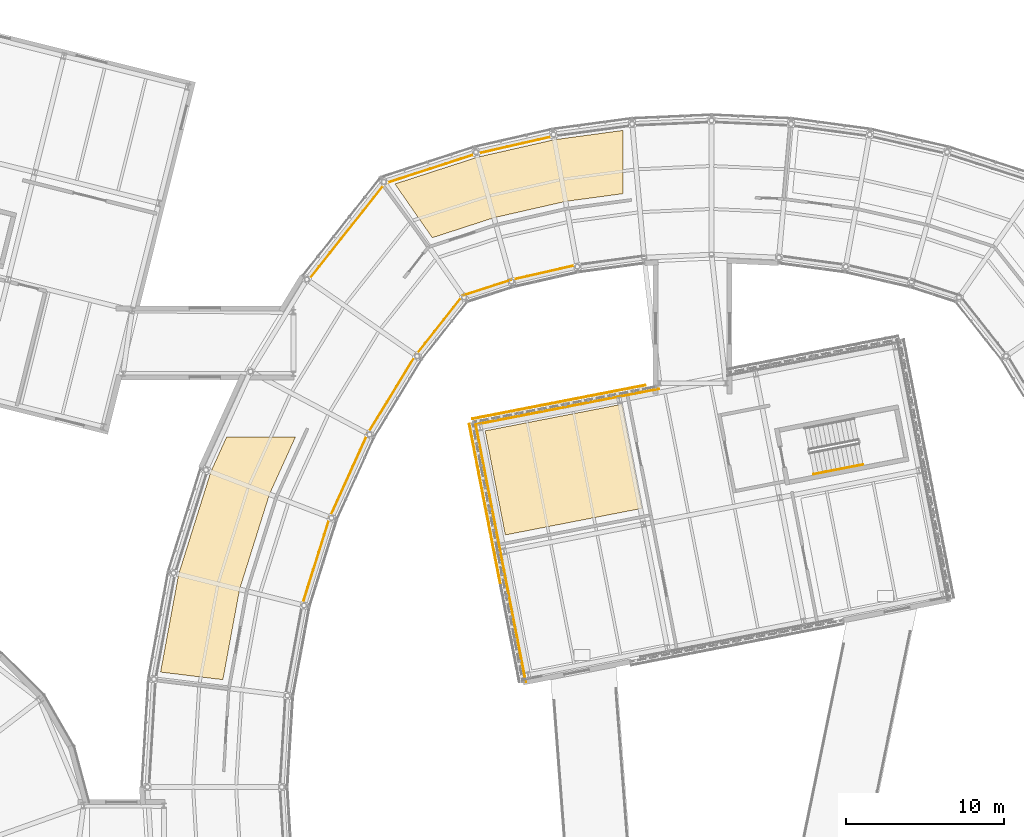
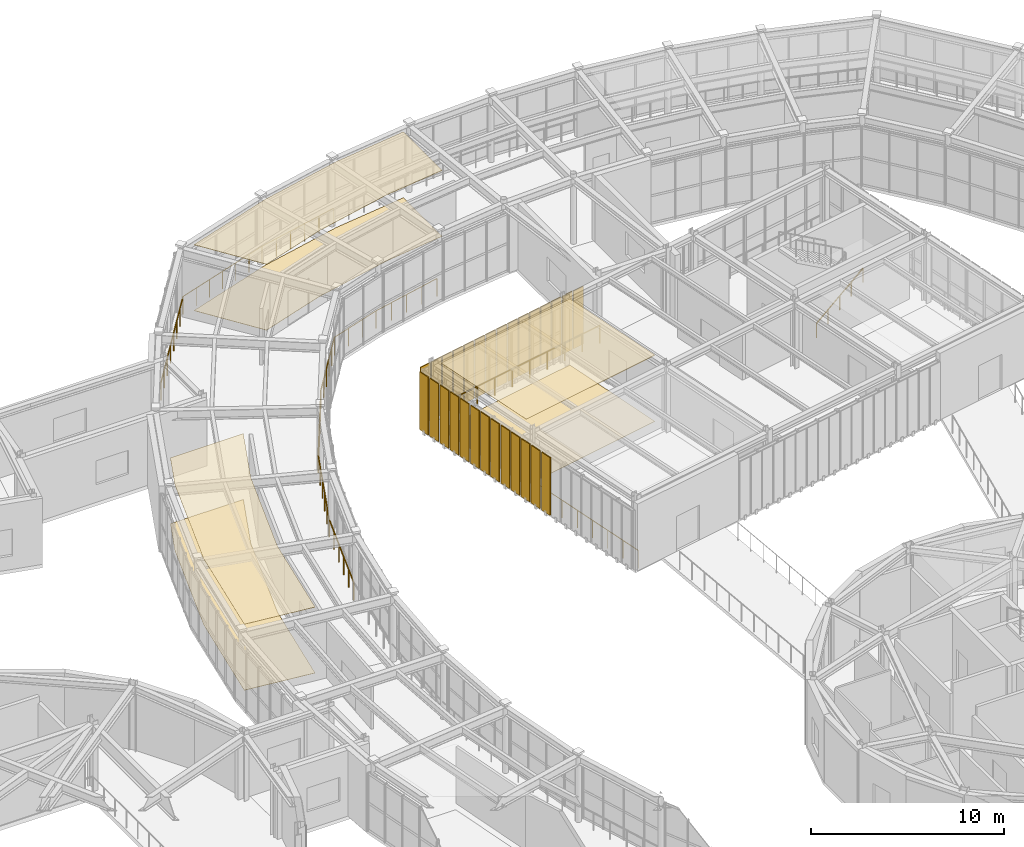
# One storey, part 98 of 103: 28 shading devices, 12 railings, 6 coverings.
"""IFC4 building model written with IfcOpenShell, lengths in metres."""

from ifc_helpers import new_model, si_unit, direction, frame, origin, origin_2d, place, context, subcontext, project, spatial, polyline, rectangle, circle, outline, extrude, material, layer, layer_set, type_object, element, save


model = new_model("IFC4")

# Units and contexts
model_context = context("Model", 3, precision=1e-05, world=origin(), true_north=direction((0.0, 1.0)))
body_context = subcontext(model_context, "Body", "Model", "MODEL_VIEW")
ifc_project = project(units=[si_unit("LENGTHUNIT", "METRE"), si_unit("AREAUNIT", "SQUARE_METRE"), si_unit("VOLUMEUNIT", "CUBIC_METRE"), si_unit("PLANEANGLEUNIT", "RADIAN"), si_unit("MASSUNIT", "GRAM", prefix="KILO")], contexts=[model_context])

# Site, building, storey
site_placement = place(None, origin())
site = spatial("IfcSite", under=ifc_project, at=site_placement, CompositionType="ELEMENT")
building_placement = place(site_placement, origin())
building = spatial("IfcBuilding", under=site, at=building_placement, Name="Varnklinge Art Gallery", CompositionType="ELEMENT")
storey_placement = place(building_placement, frame((0.0, 0.0, 5.10009765625)))
storey = spatial("IfcBuildingStorey", under=building, at=storey_placement, Name="L01", CompositionType="ELEMENT", Elevation=5.10009765625)

# Railings
ifc_material_1 = material(Name="Anodised Aluminium", Category="aluminium")
railing_type_1 = type_object("IfcRailingType", Name="BAL-01", PredefinedType="BALUSTRADE", material=ifc_material_1)
railing_1_placement = place(storey_placement, frame((65.49951171875, 96.246337890625, 0.0)))
element("IfcRailing", 1, at=railing_1_placement, inside=storey, type_object=railing_type_1, Name="L01 Ring Outer Glazing Guard 19", PredefinedType="BALUSTRADE", context=body_context, shape_type="SweptSolid", body=[
    extrude(circle(Radius=0.02392578125, at=origin_2d()), frame((0.0, 0.0, 1.11572265625), z_axis=(-0.975052616387, -0.221973861698, 0.0), x_axis=(0.221973861698, -0.975052616387, 0.0)), (0.0, 0.0, 1.0), 5.025390625),
    extrude(circle(Radius=0.02099609375, at=origin_2d()), origin(), (0.0, 0.0, 1.0), 1.091796875),
    extrude(circle(Radius=0.02099609375, at=origin_2d()), frame((-0.97998046875, -0.22314453125, 0.0)), (0.0, 0.0, 1.0), 1.091796875),
    extrude(circle(Radius=0.02099609375, at=origin_2d()), frame((-1.9599609375, -0.4462890625, 0.0)), (0.0, 0.0, 1.0), 1.091796875),
    extrude(circle(Radius=0.02099609375, at=origin_2d()), frame((-2.93994140625, -0.669189453125, 0.0)), (0.0, 0.0, 1.0), 1.091796875),
    extrude(circle(Radius=0.02099609375, at=origin_2d()), frame((-3.919921875, -0.892333984375, 0.0)), (0.0, 0.0, 1.0), 1.091796875),
    extrude(circle(Radius=0.02099609375, at=origin_2d()), frame((-4.89990234375, -1.115478515625, 0.0)), (0.0, 0.0, 1.0), 1.091796875),
])
railing_2_placement = place(storey_placement, frame((66.975830078125, 88.090576171875, 0.0)))
element("IfcRailing", 2, at=railing_2_placement, inside=storey, type_object=railing_type_1, Name="L01 Ring Inner Glazing Guard 19", PredefinedType="BALUSTRADE", context=body_context, shape_type="SweptSolid", body=[
    extrude(circle(Radius=0.02392578125, at=origin_2d()), frame((0.0, 0.0, 1.11572265625), z_axis=(-0.975058334302, -0.221948743425, 0.0), x_axis=(0.221948743425, -0.975058334302, 0.0)), (0.0, 0.0, 1.0), 4.283447265625),
    extrude(circle(Radius=0.02099609375, at=origin_2d()), origin(), (0.0, 0.0, 1.0), 1.091796875),
    extrude(circle(Radius=0.02099609375, at=origin_2d()), frame((-1.044189453125, -0.23779296875, 0.0)), (0.0, 0.0, 1.0), 1.091796875),
    extrude(circle(Radius=0.02099609375, at=origin_2d()), frame((-2.08837890625, -0.475341796875, 0.0)), (0.0, 0.0, 1.0), 1.091796875),
    extrude(circle(Radius=0.02099609375, at=origin_2d()), frame((-3.13232421875, -0.712890625, 0.0)), (0.0, 0.0, 1.0), 1.091796875),
    extrude(circle(Radius=0.02099609375, at=origin_2d()), frame((-4.176513671875, -0.95068359375, 0.0)), (0.0, 0.0, 1.0), 1.091796875),
])
railing_3_placement = place(storey_placement, frame((60.599609375, 95.130859375, 0.0)))
element("IfcRailing", 3, at=railing_3_placement, inside=storey, type_object=railing_type_1, Name="L01 Ring Outer Glazing Guard 20", PredefinedType="BALUSTRADE", context=body_context, shape_type="SweptSolid", body=[
    extrude(circle(Radius=0.02392578125, at=origin_2d()), frame((0.0, 0.0, 1.11572265625), z_axis=(-0.951286996802, -0.308306746141, 0.0), x_axis=(0.308306746141, -0.951286996802, 0.0)), (0.0, 0.0, 1.0), 6.0927734375),
    extrude(circle(Radius=0.02099609375, at=origin_2d()), origin(), (0.0, 0.0, 1.0), 1.091796875),
    extrude(circle(Radius=0.02099609375, at=origin_2d()), frame((-0.966064453125, -0.31298828125, 0.0)), (0.0, 0.0, 1.0), 1.091796875),
    extrude(circle(Radius=0.02099609375, at=origin_2d()), frame((-1.931884765625, -0.626220703125, 0.0)), (0.0, 0.0, 1.0), 1.091796875),
    extrude(circle(Radius=0.02099609375, at=origin_2d()), frame((-2.89794921875, -0.939208984375, 0.0)), (0.0, 0.0, 1.0), 1.091796875),
    extrude(circle(Radius=0.02099609375, at=origin_2d()), frame((-3.864013671875, -1.252197265625, 0.0)), (0.0, 0.0, 1.0), 1.091796875),
    extrude(circle(Radius=0.02099609375, at=origin_2d()), frame((-4.829833984375, -1.5654296875, 0.0)), (0.0, 0.0, 1.0), 1.091796875),
    extrude(circle(Radius=0.02099609375, at=origin_2d()), frame((-5.7958984375, -1.87841796875, 0.0)), (0.0, 0.0, 1.0), 1.091796875),
])
railing_4_placement = place(storey_placement, frame((62.79931640625, 87.139892578125, 0.0)))
element("IfcRailing", 4, at=railing_4_placement, inside=storey, type_object=railing_type_1, Name="L01 Ring Inner Glazing Guard 20", PredefinedType="BALUSTRADE", context=body_context, shape_type="SweptSolid", body=[
    extrude(circle(Radius=0.02392578125, at=origin_2d()), frame((0.0, 0.0, 1.11572265625), z_axis=(-0.951276988324, -0.308337625804, 0.0), x_axis=(0.308337625804, -0.951276988324, 0.0)), (0.0, 0.0, 1.0), 3.21630859375),
    extrude(circle(Radius=0.02099609375, at=origin_2d()), origin(), (0.0, 0.0, 1.0), 1.091796875),
    extrude(circle(Radius=0.02099609375, at=origin_2d()), frame((-1.019775390625, -0.33056640625, 0.0)), (0.0, 0.0, 1.0), 1.091796875),
    extrude(circle(Radius=0.02099609375, at=origin_2d()), frame((-2.039794921875, -0.6611328125, 0.0)), (0.0, 0.0, 1.0), 1.091796875),
    extrude(circle(Radius=0.02099609375, at=origin_2d()), frame((-3.0595703125, -0.99169921875, 0.0)), (0.0, 0.0, 1.0), 1.091796875),
])
railing_5_placement = place(storey_placement, frame((54.8037109375, 93.25244140625, 0.0)))
element("IfcRailing", 5, at=railing_5_placement, inside=storey, type_object=railing_type_1, Name="L01 Ring Outer Glazing Guard 21", PredefinedType="BALUSTRADE", context=body_context, shape_type="SweptSolid", body=[
    extrude(circle(Radius=0.02392578125, at=origin_2d()), frame((0.0, 0.0, 1.11572265625), z_axis=(-0.620768404491, -0.783993997417, 0.0), x_axis=(0.783993997417, -0.620768404491, 0.0)), (0.0, 0.0, 1.0), 7.8330078125),
    extrude(circle(Radius=0.02099609375, at=origin_2d()), origin(), (0.0, 0.0, 1.0), 1.091796875),
    extrude(circle(Radius=0.02099609375, at=origin_2d()), frame((-0.694580078125, -0.877197265625, 0.0)), (0.0, 0.0, 1.0), 1.091796875),
    extrude(circle(Radius=0.02099609375, at=origin_2d()), frame((-1.389404296875, -1.754638671875, 0.0)), (0.0, 0.0, 1.0), 1.091796875),
    extrude(circle(Radius=0.02099609375, at=origin_2d()), frame((-2.083984375, -2.6318359375, 0.0)), (0.0, 0.0, 1.0), 1.091796875),
    extrude(circle(Radius=0.02099609375, at=origin_2d()), frame((-2.778564453125, -3.50927734375, 0.0)), (0.0, 0.0, 1.0), 1.091796875),
    extrude(circle(Radius=0.02099609375, at=origin_2d()), frame((-3.47314453125, -4.386474609375, 0.0)), (0.0, 0.0, 1.0), 1.091796875),
    extrude(circle(Radius=0.02099609375, at=origin_2d()), frame((-4.16796875, -5.263916015625, 0.0)), (0.0, 0.0, 1.0), 1.091796875),
    extrude(circle(Radius=0.02099609375, at=origin_2d()), frame((-4.862548828125, -6.14111328125, 0.0)), (0.0, 0.0, 1.0), 1.091796875),
])
railing_6_placement = place(storey_placement, frame((59.73974609375, 86.148193359375, 0.0)))
element("IfcRailing", 6, at=railing_6_placement, inside=storey, type_object=railing_type_1, Name="L01 Ring Inner Glazing Guard 21", PredefinedType="BALUSTRADE", context=body_context, shape_type="SweptSolid", body=[
    extrude(circle(Radius=0.02392578125, at=origin_2d()), frame((0.0, 0.0, 1.11572265625), z_axis=(-0.620748326403, -0.784009894879, 0.0), x_axis=(0.784009894879, -0.620748326403, 0.0)), (0.0, 0.0, 1.0), 4.82275390625),
    extrude(circle(Radius=0.02099609375, at=origin_2d()), origin(), (0.0, 0.0, 1.0), 1.091796875),
    extrude(circle(Radius=0.02099609375, at=origin_2d()), frame((-0.5986328125, -0.756103515625, 0.0)), (0.0, 0.0, 1.0), 1.091796875),
    extrude(circle(Radius=0.02099609375, at=origin_2d()), frame((-1.197509765625, -1.512451171875, 0.0)), (0.0, 0.0, 1.0), 1.091796875),
    extrude(circle(Radius=0.02099609375, at=origin_2d()), frame((-1.796142578125, -2.2685546875, 0.0)), (0.0, 0.0, 1.0), 1.091796875),
    extrude(circle(Radius=0.02099609375, at=origin_2d()), frame((-2.39501953125, -3.02490234375, 0.0)), (0.0, 0.0, 1.0), 1.091796875),
    extrude(circle(Radius=0.02099609375, at=origin_2d()), frame((-2.99365234375, -3.781005859375, 0.0)), (0.0, 0.0, 1.0), 1.091796875),
])
railing_7_placement = place(storey_placement, frame((56.74609375, 82.3671875, 0.0)))
element("IfcRailing", 7, at=railing_7_placement, inside=storey, type_object=railing_type_1, Name="L01 Ring Inner Glazing Guard 22", PredefinedType="BALUSTRADE", context=body_context, shape_type="SweptSolid", body=[
    extrude(circle(Radius=0.02392578125, at=origin_2d()), frame((0.0, 0.0, 1.11572265625), z_axis=(-0.520954740627, -0.853584300593, 0.0), x_axis=(0.853584300593, -0.520954740627, 0.0)), (0.0, 0.0, 1.0), 5.8232421875),
    extrude(circle(Radius=0.02099609375, at=origin_2d()), origin(), (0.0, 0.0, 1.0), 1.091796875),
    extrude(circle(Radius=0.02099609375, at=origin_2d()), frame((-0.606689453125, -0.994140625, 0.0)), (0.0, 0.0, 1.0), 1.091796875),
    extrude(circle(Radius=0.02099609375, at=origin_2d()), frame((-1.21337890625, -1.98828125, 0.0)), (0.0, 0.0, 1.0), 1.091796875),
    extrude(circle(Radius=0.02099609375, at=origin_2d()), frame((-1.8203125, -2.982421875, 0.0)), (0.0, 0.0, 1.0), 1.091796875),
    extrude(circle(Radius=0.02099609375, at=origin_2d()), frame((-2.427001953125, -3.9765625, 0.0)), (0.0, 0.0, 1.0), 1.091796875),
    extrude(circle(Radius=0.02099609375, at=origin_2d()), frame((-3.03369140625, -4.970703125, 0.0)), (0.0, 0.0, 1.0), 1.091796875),
])
railing_8_placement = place(storey_placement, frame((53.71240234375, 77.396484375, 0.0)))
element("IfcRailing", 8, at=railing_8_placement, inside=storey, type_object=railing_type_1, Name="L01 Ring Inner Glazing Guard 23", PredefinedType="BALUSTRADE", context=body_context, shape_type="SweptSolid", body=[
    extrude(circle(Radius=0.02392578125, at=origin_2d()), frame((0.0, 0.0, 1.11572265625), z_axis=(-0.413392255251, -0.910553042551, 0.0), x_axis=(0.910553042551, -0.413392255251, 0.0)), (0.0, 0.0, 1.0), 5.822998046875),
    extrude(circle(Radius=0.02099609375, at=origin_2d()), origin(), (0.0, 0.0, 1.0), 1.091796875),
    extrude(circle(Radius=0.02099609375, at=origin_2d()), frame((-0.4814453125, -1.060546875, 0.0)), (0.0, 0.0, 1.0), 1.091796875),
    extrude(circle(Radius=0.02099609375, at=origin_2d()), frame((-0.962890625, -2.120849609375, 0.0)), (0.0, 0.0, 1.0), 1.091796875),
    extrude(circle(Radius=0.02099609375, at=origin_2d()), frame((-1.4443359375, -3.181396484375, 0.0)), (0.0, 0.0, 1.0), 1.091796875),
    extrude(circle(Radius=0.02099609375, at=origin_2d()), frame((-1.92578125, -4.24169921875, 0.0)), (0.0, 0.0, 1.0), 1.091796875),
    extrude(circle(Radius=0.02099609375, at=origin_2d()), frame((-2.4072265625, -5.30224609375, 0.0)), (0.0, 0.0, 1.0), 1.091796875),
])
railing_9_placement = place(storey_placement, frame((51.30517578125, 72.09423828125, 0.0)))
element("IfcRailing", 9, at=railing_9_placement, inside=storey, type_object=railing_type_1, Name="L01 Ring Inner Glazing Guard 24", PredefinedType="BALUSTRADE", context=body_context, shape_type="SweptSolid", body=[
    extrude(circle(Radius=0.02392578125, at=origin_2d()), frame((0.0, 0.0, 1.11572265625), z_axis=(-0.299728477264, -0.954024548907, 0.0), x_axis=(0.954024548907, -0.299728477264, 0.0)), (0.0, 0.0, 1.0), 5.8232421875),
    extrude(circle(Radius=0.02099609375, at=origin_2d()), origin(), (0.0, 0.0, 1.0), 1.091796875),
    extrude(circle(Radius=0.02099609375, at=origin_2d()), frame((-0.34912109375, -1.111083984375, 0.0)), (0.0, 0.0, 1.0), 1.091796875),
    extrude(circle(Radius=0.02099609375, at=origin_2d()), frame((-0.6982421875, -2.22216796875, 0.0)), (0.0, 0.0, 1.0), 1.091796875),
    extrude(circle(Radius=0.02099609375, at=origin_2d()), frame((-1.047119140625, -3.333251953125, 0.0)), (0.0, 0.0, 1.0), 1.091796875),
    extrude(circle(Radius=0.02099609375, at=origin_2d()), frame((-1.396240234375, -4.4443359375, 0.0)), (0.0, 0.0, 1.0), 1.091796875),
    extrude(circle(Radius=0.02099609375, at=origin_2d()), frame((-1.745361328125, -5.555419921875, 0.0)), (0.0, 0.0, 1.0), 1.091796875),
])
railing_10_placement = place(storey_placement, frame((72.154296875, 80.223388671875, 0.0)))
element("IfcRailing", 10, at=railing_10_placement, inside=storey, type_object=railing_type_1, Name="BAL-V4B-L01-3-2", PredefinedType="BALUSTRADE", context=body_context, shape_type="SweptSolid", body=[
    extrude(circle(Radius=0.02392578125, at=origin_2d()), frame((0.0, 0.0, 1.11572265625), z_axis=(-0.981629058229, -0.190799350211, 0.0), x_axis=(0.190799350211, -0.981629058229, 0.0)), (0.0, 0.0, 1.0), 11.989501953125),
    extrude(circle(Radius=0.02099609375, at=origin_2d()), origin(), (0.0, 0.0, 1.0), 1.091796875),
    extrude(circle(Radius=0.02099609375, at=origin_2d()), frame((-1.177001953125, -0.228759765625, 0.0)), (0.0, 0.0, 1.0), 1.091796875),
    extrude(circle(Radius=0.02099609375, at=origin_2d()), frame((-2.353759765625, -0.45751953125, 0.0)), (0.0, 0.0, 1.0), 1.091796875),
    extrude(circle(Radius=0.02099609375, at=origin_2d()), frame((-3.53076171875, -0.686279296875, 0.0)), (0.0, 0.0, 1.0), 1.091796875),
    extrude(circle(Radius=0.02099609375, at=origin_2d()), frame((-4.707763671875, -0.9150390625, 0.0)), (0.0, 0.0, 1.0), 1.091796875),
    extrude(circle(Radius=0.02099609375, at=origin_2d()), frame((-5.884765625, -1.143798828125, 0.0)), (0.0, 0.0, 1.0), 1.091796875),
    extrude(circle(Radius=0.02099609375, at=origin_2d()), frame((-7.0615234375, -1.37255859375, 0.0)), (0.0, 0.0, 1.0), 1.091796875),
    extrude(circle(Radius=0.02099609375, at=origin_2d()), frame((-8.238525390625, -1.601318359375, 0.0)), (0.0, 0.0, 1.0), 1.091796875),
    extrude(circle(Radius=0.02099609375, at=origin_2d()), frame((-9.41552734375, -1.830078125, 0.0)), (0.0, 0.0, 1.0), 1.091796875),
    extrude(circle(Radius=0.02099609375, at=origin_2d()), frame((-10.59228515625, -2.058837890625, 0.0)), (0.0, 0.0, 1.0), 1.091796875),
    extrude(circle(Radius=0.02099609375, at=origin_2d()), frame((-11.769287109375, -2.28759765625, 0.0)), (0.0, 0.0, 1.0), 1.091796875),
])
railing_11_placement = place(storey_placement, frame((60.52734375, 78.146728515625, 0.0)))
element("IfcRailing", 11, at=railing_11_placement, inside=storey, type_object=railing_type_1, Name="BAL-V4B-L01-4-1", PredefinedType="BALUSTRADE", context=body_context, shape_type="SweptSolid", body=[
    extrude(circle(Radius=0.02392578125, at=origin_2d()), frame((0.0, 0.0, 1.11572265625), z_axis=(0.19080897967, -0.981627186501, 0.0), x_axis=(0.981627186501, 0.19080897967, 0.0)), (0.0, 0.0, 1.0), 16.7998046875),
    extrude(circle(Radius=0.02099609375, at=origin_2d()), origin(), (0.0, 0.0, 1.0), 1.091796875),
    extrude(circle(Radius=0.02099609375, at=origin_2d()), frame((0.22900390625, -1.177978515625, 0.0)), (0.0, 0.0, 1.0), 1.091796875),
    extrude(circle(Radius=0.02099609375, at=origin_2d()), frame((0.4580078125, -2.35595703125, 0.0)), (0.0, 0.0, 1.0), 1.091796875),
    extrude(circle(Radius=0.02099609375, at=origin_2d()), frame((0.68701171875, -3.533935546875, 0.0)), (0.0, 0.0, 1.0), 1.091796875),
    extrude(circle(Radius=0.02099609375, at=origin_2d()), frame((0.915771484375, -4.711669921875, 0.0)), (0.0, 0.0, 1.0), 1.091796875),
    extrude(circle(Radius=0.02099609375, at=origin_2d()), frame((1.144775390625, -5.8896484375, 0.0)), (0.0, 0.0, 1.0), 1.091796875),
    extrude(circle(Radius=0.02099609375, at=origin_2d()), frame((1.373779296875, -7.067626953125, 0.0)), (0.0, 0.0, 1.0), 1.091796875),
    extrude(circle(Radius=0.02099609375, at=origin_2d()), frame((1.602783203125, -8.24560546875, 0.0)), (0.0, 0.0, 1.0), 1.091796875),
    extrude(circle(Radius=0.02099609375, at=origin_2d()), frame((1.831787109375, -9.423583984375, 0.0)), (0.0, 0.0, 1.0), 1.091796875),
    extrude(circle(Radius=0.02099609375, at=origin_2d()), frame((2.060791015625, -10.6015625, 0.0)), (0.0, 0.0, 1.0), 1.091796875),
    extrude(circle(Radius=0.02099609375, at=origin_2d()), frame((2.289794921875, -11.779541015625, 0.0)), (0.0, 0.0, 1.0), 1.091796875),
    extrude(circle(Radius=0.02099609375, at=origin_2d()), frame((2.5185546875, -12.957275390625, 0.0)), (0.0, 0.0, 1.0), 1.091796875),
    extrude(circle(Radius=0.02099609375, at=origin_2d()), frame((2.74755859375, -14.13525390625, 0.0)), (0.0, 0.0, 1.0), 1.091796875),
    extrude(circle(Radius=0.02099609375, at=origin_2d()), frame((2.9765625, -15.313232421875, 0.0)), (0.0, 0.0, 1.0), 1.091796875),
    extrude(circle(Radius=0.02099609375, at=origin_2d()), frame((3.20556640625, -16.4912109375, 0.0)), (0.0, 0.0, 1.0), 1.091796875),
])

# Coverings
ifc_material_2 = material(Name="Acoustic Mineral Tile", Category="mineral")
ifc_layer_1 = layer(ifc_material_2, 0.02490234375)
ifc_layer_set_1 = layer_set([ifc_layer_1], Name="Acoustic Mineral Tile")
covering_type_1 = type_object("IfcCoveringType", Name="CLG-AC", PredefinedType="CEILING", material=ifc_layer_set_1)
covering_1_placement = place(storey_placement, frame((0.0, 0.0, 4.15478515625)))
element("IfcCovering", 12, at=covering_1_placement, inside=storey, type_object=covering_type_1, Name="L01 Acoustic Mineral Ceiling 020", PredefinedType="CEILING", context=body_context, shape_type="SweptSolid", body=[
    extrude(outline(polyline([(55.431640625, 93.224853515625), (57.7998046875, 89.81689453125), (61.69189453125, 91.078125), (61.735107421875, 91.090087890625), (66.22509765625, 92.1123046875), (66.26904296875, 92.1201171875), (69.89990234375, 92.61083984375), (69.89990234375, 96.618896484375), (65.538818359375, 96.029541015625), (60.657958984375, 94.91845703125), (55.431640625, 93.224853515625)])), origin(), (0.0, 0.0, 1.0), 0.025146484375),
])
covering_2_placement = place(storey_placement, frame((0.0, 0.0, 4.15478515625)))
element("IfcCovering", 13, at=covering_2_placement, inside=storey, type_object=covering_type_1, Name="L01 Acoustic Mineral Ceiling 021", PredefinedType="CEILING", context=body_context, shape_type="SweptSolid", body=[
    extrude(outline(polyline([(47.470703125, 73.5283203125), (47.4921875, 73.5849609375), (49.133544921875, 77.199951171875), (44.771484375, 77.199951171875), (43.762939453125, 74.978759765625), (41.72314453125, 68.48583984375), (40.577880859375, 62.285888671875), (44.527587890625, 61.802490234375), (45.579345703125, 67.496337890625), (45.593994140625, 67.555419921875), (47.470703125, 73.5283203125)])), origin(), (0.0, 0.0, 1.0), 0.025146484375),
])
covering_3_placement = place(storey_placement, frame((0.0, 0.0, 4.1748046875)))
element("IfcCovering", 14, at=covering_3_placement, inside=storey, type_object=covering_type_1, Name="L01 Acoustic Mineral Ceiling 026", PredefinedType="CEILING", context=body_context, shape_type="SweptSolid", body=[
    extrude(outline(polyline([(71.088134765625, 72.6611328125), (69.805908203125, 79.2578125), (61.14794921875, 77.57470703125), (62.43017578125, 70.978271484375), (71.088134765625, 72.6611328125)])), origin(), (0.0, 0.0, 1.0), 0.025146484375),
])
ifc_material_3 = material(Name="Polished Terrazzo Flooring", Category="stone")
ifc_layer_2 = layer(ifc_material_3, 0.02001953125)
ifc_layer_set_2 = layer_set([ifc_layer_2], Name="Polished Terrazzo Flooring")
covering_type_2 = type_object("IfcCoveringType", Name="FLR-STN", PredefinedType="FLOORING", material=ifc_layer_set_2)
covering_4_placement = place(storey_placement, origin())
element("IfcCovering", 15, at=covering_4_placement, inside=storey, type_object=covering_type_2, Name="L01 Gallery Terrazzo Flooring 020", PredefinedType="FLOORING", context=body_context, shape_type="SweptSolid", body=[
    extrude(outline(polyline([(55.431640625, 93.224853515625), (57.7998046875, 89.81689453125), (61.69189453125, 91.078125), (61.735107421875, 91.090087890625), (66.22509765625, 92.1123046875), (66.26904296875, 92.1201171875), (69.89990234375, 92.61083984375), (69.89990234375, 96.618896484375), (65.538818359375, 96.029541015625), (60.657958984375, 94.91845703125), (55.431640625, 93.224853515625)])), origin(), (0.0, 0.0, 1.0), 0.02001953125),
])
covering_5_placement = place(storey_placement, origin())
element("IfcCovering", 16, at=covering_5_placement, inside=storey, type_object=covering_type_2, Name="L01 Gallery Terrazzo Flooring 021", PredefinedType="FLOORING", context=body_context, shape_type="SweptSolid", body=[
    extrude(outline(polyline([(47.470703125, 73.5283203125), (47.4921875, 73.5849609375), (49.133544921875, 77.199951171875), (44.771484375, 77.199951171875), (43.762939453125, 74.978759765625), (41.72314453125, 68.48583984375), (40.577880859375, 62.285888671875), (44.527587890625, 61.802490234375), (45.579345703125, 67.496337890625), (45.593994140625, 67.555419921875), (47.470703125, 73.5283203125)])), origin(), (0.0, 0.0, 1.0), 0.02001953125),
])
covering_6_placement = place(storey_placement, origin())
element("IfcCovering", 17, at=covering_6_placement, inside=storey, type_object=covering_type_2, Name="L01 Gallery Terrazzo Flooring 026", PredefinedType="FLOORING", context=body_context, shape_type="SweptSolid", body=[
    extrude(outline(polyline([(71.088134765625, 72.6611328125), (69.805908203125, 79.2578125), (61.14794921875, 77.57470703125), (62.43017578125, 70.978271484375), (71.088134765625, 72.6611328125)])), origin(), (0.0, 0.0, 1.0), 0.02001953125),
])

# Railing
ifc_material_4 = material(Name="Steel S355", Category="steel")
railing_type_2 = type_object("IfcRailingType", Name="HR-01", PredefinedType="HANDRAIL", material=ifc_material_4)
railing_12_placement = place(storey_placement, frame((81.974609375, 74.828125, 0.18408203125)))
element("IfcRailing", 18, at=railing_12_placement, inside=storey, type_object=railing_type_2, Name="L01 ST-10 stair handrail 1", PredefinedType="HANDRAIL", context=body_context, shape_type="SweptSolid", body=[
    extrude(circle(Radius=0.02392578125, at=origin_2d()), frame((0.0, 0.0, 0.8759765625), z_axis=(0.82864335322, 0.161064079181, 0.536104985578), x_axis=(-0.190800009564, 0.98162893007, 0.0)), (0.0, 0.0, 1.0), 3.77880859375),
    extrude(circle(Radius=0.02099609375, at=origin_2d()), origin(), (0.0, 0.0, 1.0), 0.851806640625),
    extrude(circle(Radius=0.02099609375, at=origin_2d()), frame((0.78271484375, 0.152099609375, 0.50634765625)), (0.0, 0.0, 1.0), 0.851806640625),
    extrude(circle(Radius=0.02099609375, at=origin_2d()), frame((1.565673828125, 0.30419921875, 1.012939453125)), (0.0, 0.0, 1.0), 0.851806640625),
    extrude(circle(Radius=0.02099609375, at=origin_2d()), frame((2.3486328125, 0.45654296875, 1.51953125)), (0.0, 0.0, 1.0), 0.851806640625),
    extrude(circle(Radius=0.02099609375, at=origin_2d()), frame((3.13134765625, 0.608642578125, 2.02587890625)), (0.0, 0.0, 1.0), 0.851806640625),
])

# Shading devices
ifc_material_5 = material(Name="Perforated Aluminium-Precast Lattice", Category="concrete")
ifc_layer_3 = layer(ifc_material_5, 0.06005859375)
ifc_layer_set_3 = layer_set([ifc_layer_3], Name="Perforated Aluminium-Precast Lattice")
shading_device_type = type_object("IfcShadingDeviceType", Name="SHD-LAT", PredefinedType="USERDEFINED", material=ifc_layer_set_3)
for number, where, z_axis, x_axis, name in (
    (19, (70.974609375, 80.401611328125, 0.099853515625), (0.0, 0.0, 1.0), (-0.981627183448, -0.190808995377, 0.0), "L01 Perforated Lattice Screen 3.1.2"),
    (20, (70.239013671875, 80.2587890625, 0.099853515625), (0.0, 0.0, 1.0), (-0.981627183448, -0.190808995377, 0.0), "L01 Perforated Lattice Screen 3.1.3"),
    (21, (69.50341796875, 80.11572265625, 0.099853515625), (0.0, 0.0, 1.0), (-0.981627183448, -0.190808995377, 0.0), "L01 Perforated Lattice Screen 3.1.4"),
    (22, (68.767822265625, 79.97265625, 0.099853515625), (0.0, 0.0, 1.0), (-0.981627183448, -0.190808995377, 0.0), "L01 Perforated Lattice Screen 3.1.5"),
    (23, (68.0322265625, 79.829833984375, 0.099853515625), (0.0, 0.0, 1.0), (-0.981627183448, -0.190808995377, 0.0), "L01 Perforated Lattice Screen 3.1.6"),
    (24, (67.296630859375, 79.686767578125, 0.099853515625), (0.0, 0.0, 1.0), (-0.981627183448, -0.190808995377, 0.0), "L01 Perforated Lattice Screen 3.1.7"),
    (25, (66.561279296875, 79.543701171875, 0.099853515625), (0.0, 0.0, 1.0), (-0.981627183448, -0.190808995377, 0.0), "L01 Perforated Lattice Screen 3.1.8"),
    (26, (65.82568359375, 79.40087890625, 0.099853515625), (0.0, 0.0, 1.0), (-0.981627183448, -0.190808995377, 0.0), "L01 Perforated Lattice Screen 3.2.1"),
    (27, (65.090087890625, 79.2578125, 0.099853515625), (0.0, 0.0, 1.0), (-0.981627183448, -0.190808995377, 0.0), "L01 Perforated Lattice Screen 3.2.2"),
    (28, (64.3544921875, 79.114990234375, 0.099853515625), (0.0, 0.0, 1.0), (-0.981627183448, -0.190808995377, 0.0), "L01 Perforated Lattice Screen 3.2.3"),
    (29, (63.618896484375, 78.971923828125, 0.099853515625), (0.0, 0.0, 1.0), (-0.981627183448, -0.190808995377, 0.0), "L01 Perforated Lattice Screen 3.2.4"),
    (30, (62.88330078125, 78.828857421875, 0.099853515625), (0.0, 0.0, 1.0), (-0.981627183448, -0.190808995377, 0.0), "L01 Perforated Lattice Screen 3.2.5"),
    (31, (62.147705078125, 78.685791015625, 0.099853515625), (0.0, 0.0, 1.0), (-0.981627183448, -0.190808995377, 0.0), "L01 Perforated Lattice Screen 3.2.6"),
    (32, (61.412109375, 78.54296875, 0.099853515625), (0.0, 0.0, 1.0), (-0.981627183448, -0.190808995377, 0.0), "L01 Perforated Lattice Screen 3.2.7"),
    (33, (60.676513671875, 78.39990234375, 0.099853515625), (0.0, 0.0, 1.0), (-0.981627183448, -0.190808995377, 0.0), "L01 Perforated Lattice Screen 3.2.8"),
    (34, (60.211181640625, 77.677978515625, 0.099853515625), (0.0, 0.0, 1.0), (0.190808995377, -0.981627183448, 0.0), "L01 Perforated Lattice Screen 4.1.1"),
    (35, (60.36376953125, 76.892578125, 0.099853515625), (0.0, 0.0, 1.0), (0.190808995377, -0.981627183448, 0.0), "L01 Perforated Lattice Screen 4.1.2"),
    (36, (60.516357421875, 76.107421875, 0.099853515625), (0.0, 0.0, 1.0), (0.190808995377, -0.981627183448, 0.0), "L01 Perforated Lattice Screen 4.1.3"),
    (37, (60.6689453125, 75.322021484375, 0.099853515625), (0.0, 0.0, 1.0), (0.190808995377, -0.981627183448, 0.0), "L01 Perforated Lattice Screen 4.1.4"),
    (38, (60.82177734375, 74.53662109375, 0.099853515625), (0.0, 0.0, 1.0), (0.190808995377, -0.981627183448, 0.0), "L01 Perforated Lattice Screen 4.1.5"),
    (39, (60.974365234375, 73.75146484375, 0.099853515625), (0.0, 0.0, 1.0), (0.190808995377, -0.981627183448, 0.0), "L01 Perforated Lattice Screen 4.1.6"),
    (40, (61.126953125, 72.966064453125, 0.099853515625), (0.0, 0.0, 1.0), (0.190808995377, -0.981627183448, 0.0), "L01 Perforated Lattice Screen 4.1.7"),
    (41, (61.279541015625, 72.180908203125, 0.099853515625), (0.0, 0.0, 1.0), (0.190808995377, -0.981627183448, 0.0), "L01 Perforated Lattice Screen 4.2.1"),
    (42, (61.43212890625, 71.3955078125, 0.099853515625), (0.0, 0.0, 1.0), (0.190808995377, -0.981627183448, 0.0), "L01 Perforated Lattice Screen 4.2.2"),
    (43, (61.5849609375, 70.610107421875, 0.099853515625), (0.0, 0.0, 1.0), (0.190808995377, -0.981627183448, 0.0), "L01 Perforated Lattice Screen 4.2.3"),
    (44, (61.737548828125, 69.824951171875, 0.099853515625), (0.0, 0.0, 1.0), (0.190808995377, -0.981627183448, 0.0), "L01 Perforated Lattice Screen 4.2.4"),
    (45, (61.89013671875, 69.03955078125, 0.099853515625), (0.0, 0.0, 1.0), (0.190808995377, -0.981627183448, 0.0), "L01 Perforated Lattice Screen 4.2.5"),
    (46, (62.042724609375, 68.25439453125, 0.099853515625), (0.0, 0.0, 1.0), (0.190808995377, -0.981627183448, 0.0), "L01 Perforated Lattice Screen 4.2.6"),
):
    element("IfcShadingDevice", number, at=place(storey_placement, frame(where, z_axis=z_axis, x_axis=x_axis)), inside=storey, type_object=shading_device_type, Name=name, ObjectType="LATTICE SCREEN", PredefinedType="USERDEFINED", context=body_context, shape_type="SweptSolid", body=[
        extrude(rectangle(XDim=0.679931640625, YDim=0.06005859375, at=origin_2d()), origin(), (0.0, 0.0, 1.0), 3.64990234375),
    ])

save(model, "model.ifc")
